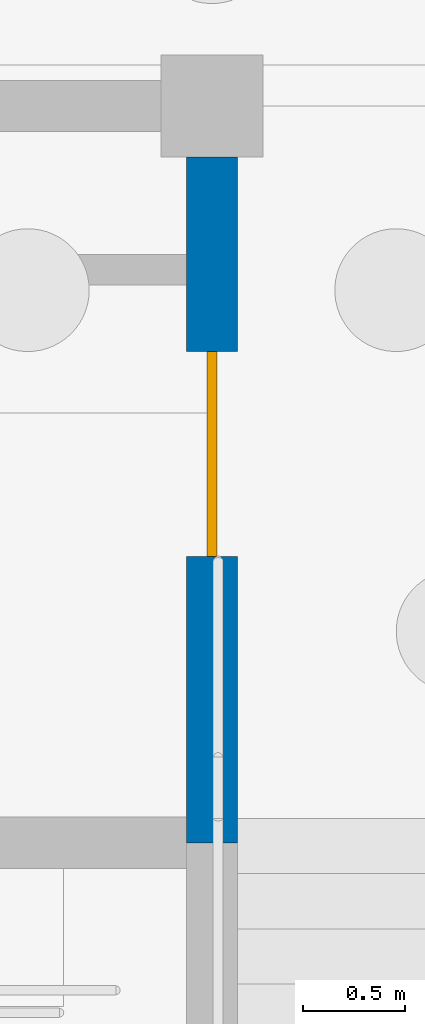
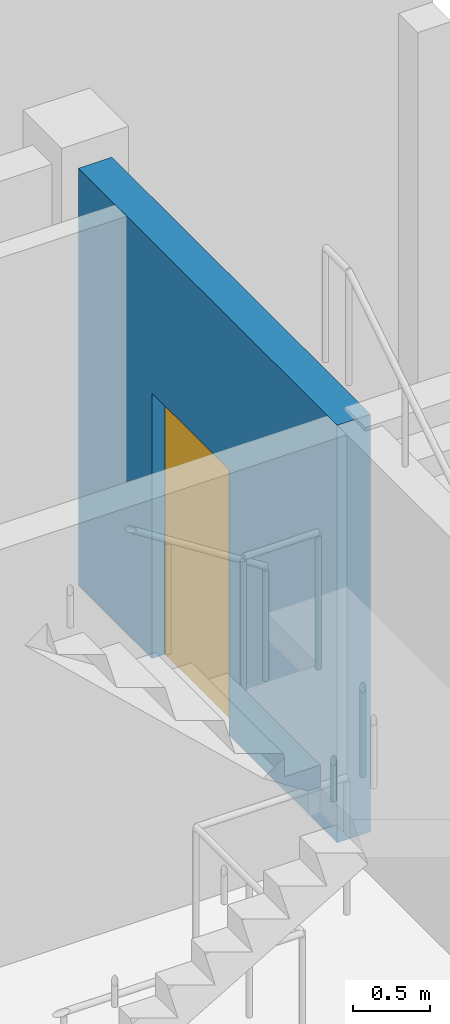
# One storey, part 28 of 37: 1 door, 1 wall, 1 opening.
"""IFC4 building model written with IfcOpenShell, lengths in metres."""

from ifc_helpers import new_model, si_unit, direction, frame, frame_2d, origin, place, context, subcontext, project, spatial, rectangle, extrude, material, layer, layer_set, type_object, element, fill, save


model = new_model("IFC4")

# Units and contexts
model_context = context("Model", 3, precision=1e-05, world=origin(), true_north=direction((0.0, 1.0)))
body_context = subcontext(model_context, "Body", "Model", "MODEL_VIEW")
ifc_project = project(units=[si_unit("LENGTHUNIT", "METRE"), si_unit("AREAUNIT", "SQUARE_METRE"), si_unit("VOLUMEUNIT", "CUBIC_METRE"), si_unit("PLANEANGLEUNIT", "RADIAN"), si_unit("MASSUNIT", "GRAM", prefix="KILO")], contexts=[model_context])

# Site, building, storey
site_placement = place(None, origin())
site = spatial("IfcSite", under=ifc_project, at=site_placement, CompositionType="ELEMENT")
building_placement = place(site_placement, origin())
building = spatial("IfcBuilding", under=site, at=building_placement, Name="Laocheng Heights Fire and Rescue Headquarters", CompositionType="ELEMENT")
storey_placement = place(building_placement, origin())
storey = spatial("IfcBuildingStorey", under=building, at=storey_placement, Name="L00", CompositionType="ELEMENT", Elevation=0.0)

# Wall, opening, door
ifc_material_1 = material(Name="Concrete C40", Category="concrete")
ifc_layer = layer(ifc_material_1, 0.25)
ifc_layer_set = layer_set([ifc_layer], Name="Concrete C40")
wall_type = type_object("IfcWallType", Name="RC SHEAR WALL 250 BOARD-MARKED DRILL TOWER", PredefinedType="SHEAR", material=ifc_layer_set)
wall_placement = place(storey_placement, frame((126.0, 31.60009765625, 0.0), z_axis=(0.0, 0.0, 1.0), x_axis=(0.0, 1.0, 0.0)))
wall = element("IfcWall", 1, at=wall_placement, inside=storey, type_object=wall_type, Name="Drill tower wall E F1", PredefinedType="SHEAR", context=body_context, shape_type="SweptSolid", body=[
    extrude(rectangle(XDim=3.349853515625, YDim=0.25, at=frame_2d((1.6748046875, 0.0))), origin(), (0.0, 0.0, 1.0), 3.300048828125),
])
opening_placement = place(wall_placement, frame((1.39990234375, 0.0, 0.0)))
opening = element("IfcOpeningElement", 2, at=opening_placement, cuts=wall, Name="Opening L00-L01", PredefinedType="OPENING", context=body_context, shape_type="SweptSolid", body=[
    extrude(rectangle(XDim=1.0, YDim=2.10009765625, at=frame_2d((0.5, 1.050048828125))), frame((0.0, 0.135009765625, 0.0), z_axis=(0.0, -1.0, 0.0), x_axis=(1.0, 0.0, 0.0)), (0.0, 0.0, 1.0), 0.27001953125),
])
ifc_material_2 = material(Name="Steel door leaf, painted", Category="steel")
door_type = type_object("IfcDoorType", Name="STEEL DOOR 1000x2100 EI 60 DRILL TOWER", OperationType="SINGLE_SWING_LEFT", PredefinedType="DOOR", material=ifc_material_2)
door_placement = place(opening_placement, frame((1.0, 0.0, 0.0), z_axis=(0.0, 0.0, 1.0), x_axis=(-1.0, 0.0, 0.0)))
door = element("IfcDoor", 3, at=door_placement, inside=storey, type_object=door_type, Name="Door L00-L01", OperationType="SINGLE_SWING_LEFT", OverallHeight=2.10009765625, OverallWidth=1.0, PredefinedType="DOOR", context=body_context, shape_type="SweptSolid", body=[
    extrude(rectangle(XDim=1.0, YDim=2.10009765625, at=frame_2d((0.5, 1.050048828125))), frame((0.0, 0.02490234375, 0.0), z_axis=(0.0, -1.0, 0.0), x_axis=(1.0, 0.0, 0.0)), (0.0, 0.0, 1.0), 0.050048828125),
])
fill(opening, door)

save(model, "model.ifc")
